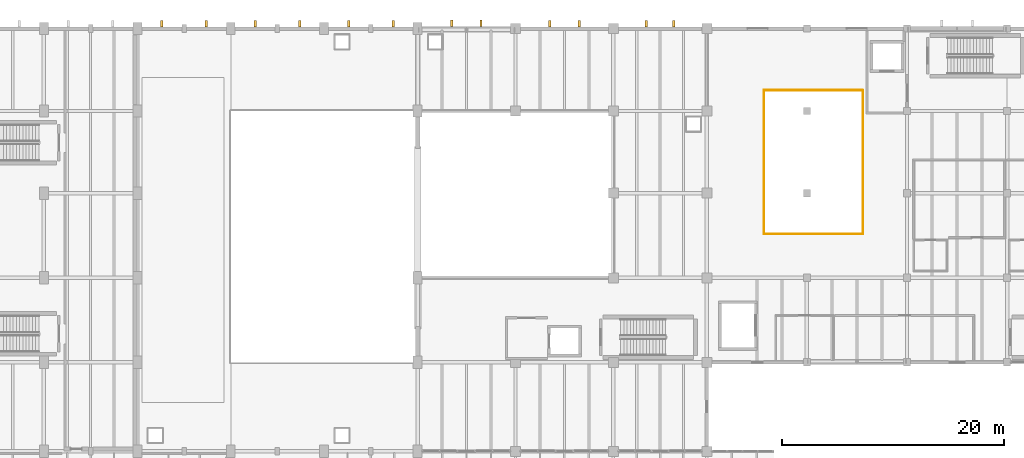
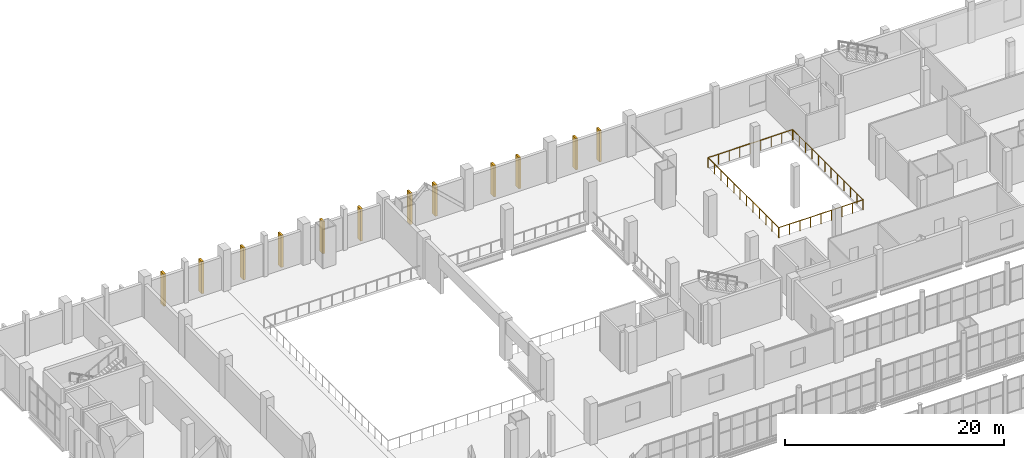
# One storey, part 169 of 172: 12 shading devices, 2 railings.
"""IFC4 building model written with IfcOpenShell, lengths in metres."""

import ifcopenshell
import ifcopenshell.guid

model = None  # the IFC model being written
_history = None  # IfcOwnerHistory: only IFC2X3 demands one
_inside = {}  # id of a spatial element -> (the spatial element, [elements in it])
_under = {}  # id of a project, library or spatial element -> (it, [spatial elements below it])
_declared = {}  # id of a project -> (the project, [libraries it declares])
_typed = {}  # id of a type object -> (the type object, [elements of that type])
_made_of = {}  # id of a material, layer set ... -> (it, [elements and type objects made of it])


def new_model(schema):
    """Start an empty IFC model of exactly this schema.

    Asked for "IFC4X3", IfcOpenShell would pick the latest addendum, in which some entities
    have other attributes; the version numbers below select the first issue.
    IFC2X3 requires an IfcOwnerHistory on every rooted entity: one is made here for all.
    """
    global model, _history
    if schema == "IFC4X3":
        model = ifcopenshell.file(schema_version=(4, 3, 0, 0))
    else:
        model = ifcopenshell.file(schema=schema)
    _inside.clear()
    _under.clear()
    _declared.clear()
    _typed.clear()
    _made_of.clear()
    _history = None
    if model.schema == "IFC2X3":
        org = make("IfcOrganization", Name="unknown")
        user = make(
            "IfcPersonAndOrganization",
            ThePerson=make("IfcPerson", FamilyName="unknown"),
            TheOrganization=org,
        )
        app = make(
            "IfcApplication",
            ApplicationDeveloper=org,
            Version="unknown",
            ApplicationFullName="unknown",
            ApplicationIdentifier="unknown",
        )
        _history = make(
            "IfcOwnerHistory",
            OwningUser=user,
            OwningApplication=app,
            ChangeAction="ADDED",
            CreationDate=0,
        )
    return model


def make(cls, **values):
    """One entity of the class cls with the attributes given. An attribute that is None is left unset."""
    return model.create_entity(
        cls, **{name: value for name, value in values.items() if value is not None}
    )


def rooted(cls, **values):
    """An entity with a GlobalId (a new one), such as an element, a storey or a relation."""
    return make(cls, GlobalId=ifcopenshell.guid.new(), OwnerHistory=_history, **values)


def si_unit(unit_type, name, prefix=None):
    """IfcSIUnit, for example si_unit("LENGTHUNIT", "METRE", prefix="MILLI")."""
    return make("IfcSIUnit", UnitType=unit_type, Prefix=prefix, Name=name)


def assignment(units):
    """IfcUnitAssignment: the units of a project."""
    return None if units is None else make("IfcUnitAssignment", Units=units)


def point(xyz):
    """IfcCartesianPoint."""
    return None if xyz is None else make("IfcCartesianPoint", Coordinates=xyz)


def direction(xyz):
    """IfcDirection."""
    return None if xyz is None else make("IfcDirection", DirectionRatios=xyz)


def frame(location, z_axis=None, x_axis=None):
    """IfcAxis2Placement3D, a coordinate frame: its origin and axes. An axis left out is left unset."""
    return make(
        "IfcAxis2Placement3D",
        Location=point(location),
        Axis=direction(z_axis),
        RefDirection=direction(x_axis),
    )


def frame_2d(location, x_axis=None):
    """IfcAxis2Placement2D, a coordinate frame in the plane: its origin and x axis."""
    return make(
        "IfcAxis2Placement2D", Location=point(location), RefDirection=direction(x_axis)
    )


def origin():
    """The frame at (0, 0, 0) with its axes left unset."""
    return frame((0.0, 0.0, 0.0))


def origin_2d():
    """The frame at (0, 0) in the plane with its x axis left unset."""
    return frame_2d((0.0, 0.0))


def place(relative_to, where):
    """IfcLocalPlacement: puts the frame where relative to a parent placement (None: the world)."""
    return make(
        "IfcLocalPlacement", PlacementRelTo=relative_to, RelativePlacement=where
    )


def context(
    kind, dimensions, precision=None, world=None, true_north=None, identifier=None
):
    """IfcGeometricRepresentationContext, for example the 3D "Model" context."""
    return make(
        "IfcGeometricRepresentationContext",
        ContextIdentifier=identifier,
        ContextType=kind,
        CoordinateSpaceDimension=dimensions,
        Precision=precision,
        WorldCoordinateSystem=world,
        TrueNorth=true_north,
    )


def subcontext(parent, identifier, kind, view, scale=None):
    """IfcGeometricRepresentationSubContext, for example "Body" below "Model"."""
    return make(
        "IfcGeometricRepresentationSubContext",
        ContextIdentifier=identifier,
        ContextType=kind,
        ParentContext=parent,
        TargetScale=scale,
        TargetView=view,
    )


def project(units=None, contexts=None):
    """IfcProject with its units and contexts."""
    return rooted(
        "IfcProject",
        Name="project",
        RepresentationContexts=contexts,
        UnitsInContext=assignment(units),
    )


def spatial(cls, under=None, at=None, **own):
    """A site, building, storey or space (cls), placed at a placement, below another one or the project."""
    s = rooted(cls, ObjectPlacement=at, **own)
    if under is not None:
        _under.setdefault(under.id(), (under, []))[1].append(s)
    return s


def profile(cls, at=None, kind="AREA", **sizes):
    """A parametric profile (cls). Its sizes go by their IFC names, for example OverallWidth=200.0."""
    return make(cls, ProfileType=kind, Position=at, **sizes)


def rectangle(**sizes):
    """IfcRectangleProfileDef."""
    return profile("IfcRectangleProfileDef", **sizes)


def circle(**sizes):
    """IfcCircleProfileDef."""
    return profile("IfcCircleProfileDef", **sizes)


def extrude(swept, where, along, depth):
    """IfcExtrudedAreaSolid: the profile swept, set in the frame where, extruded along a direction by depth."""
    return make(
        "IfcExtrudedAreaSolid",
        SweptArea=swept,
        Position=where,
        ExtrudedDirection=direction(along),
        Depth=depth,
    )


def shape(context_of_items, identifier, shape_type, items):
    """IfcShapeRepresentation: the items that make up one representation, for example the "Body"."""
    return make(
        "IfcShapeRepresentation",
        ContextOfItems=context_of_items,
        RepresentationIdentifier=identifier,
        RepresentationType=shape_type,
        Items=items,
    )


def material(Name=None, Category=None):
    """IfcMaterial."""
    return make("IfcMaterial", Name=Name, Category=Category)


def layer(
    of_material, thickness, ventilated=None, Name=None, Category=None, Priority=None
):
    """IfcMaterialLayer: one layer of a wall or slab, of a material (None: an air gap)."""
    return make(
        "IfcMaterialLayer",
        Material=of_material,
        LayerThickness=thickness,
        IsVentilated=ventilated,
        Name=Name,
        Category=Category,
        Priority=Priority,
    )


def layer_set(layers, Name=None):
    """IfcMaterialLayerSet."""
    return make("IfcMaterialLayerSet", MaterialLayers=layers, LayerSetName=Name)


def made_of(thing, what):
    """Note that an element or type object is made of a material, layer set ...; save() writes the relation."""
    if what is not None:
        _made_of.setdefault(what.id(), (what, []))[1].append(thing)
    return thing


def type_object(cls, material=None, **own):
    """A type object (cls), such as IfcWallType, which elements share."""
    return made_of(rooted(cls, **own), material)


def element(
    cls,
    number,
    at=None,
    inside=None,
    cuts=None,
    type_object=None,
    material=None,
    context=None,
    identifier="Body",
    shape_type=None,
    held_by="IfcProductDefinitionShape",
    body=None,
    shapes=None,
    **own,
):
    """One element of the class cls, such as IfcWall. Its Tag is "e" and its number.

    at: its placement. inside: the storey or other place that contains it. cuts: it is an
    opening in that element (IfcRelVoidsElement). A single representation is given by context,
    identifier, shape_type and body (its items); several are given by shapes. held_by: the class
    of the entity that holds the representations. save() writes the other relations.
    """
    e = rooted(cls, Tag="e%d" % number, ObjectPlacement=at, **own)
    if body is not None:
        shapes = [shape(context, identifier, shape_type, body)]
    if shapes is not None:
        e.Representation = make(held_by, Representations=shapes)
    if inside is not None:
        _inside.setdefault(inside.id(), (inside, []))[1].append(e)
    if cuts is not None:
        rooted(
            "IfcRelVoidsElement", RelatingBuildingElement=cuts, RelatedOpeningElement=e
        )
    if type_object is not None:
        _typed.setdefault(type_object.id(), (type_object, []))[1].append(e)
    return made_of(e, material)


def aggregate(whole, parts):
    """IfcRelAggregates: a whole, such as a stair, and the parts it consists of."""
    return rooted("IfcRelAggregates", RelatingObject=whole, RelatedObjects=parts)


def save(model, path):
    """Write the relations noted so far, then the file.

    IfcRelAggregates (storeys below a building ...), IfcRelContainedInSpatialStructure (elements
    in a storey), IfcRelDefinesByType, IfcRelAssociatesMaterial and IfcRelDeclares: one each for
    every whole, place, type object, material and project.
    """
    for whole, parts in _under.values():
        aggregate(whole, parts)
    for where, things in _inside.values():
        rooted(
            "IfcRelContainedInSpatialStructure",
            RelatedElements=things,
            RelatingStructure=where,
        )
    for kind, things in _typed.values():
        rooted("IfcRelDefinesByType", RelatedObjects=things, RelatingType=kind)
    for what, things in _made_of.values():
        rooted("IfcRelAssociatesMaterial", RelatedObjects=things, RelatingMaterial=what)
    for by, libraries in _declared.values():
        rooted("IfcRelDeclares", RelatingContext=by, RelatedDefinitions=libraries)
    model.write(path)


model = new_model("IFC4")

# Units and contexts
model_context = context("Model", 3, precision=1e-05, world=origin(), true_north=direction((0.0, 1.0)))
body_context = subcontext(model_context, "Body", "Model", "MODEL_VIEW")
ifc_project = project(units=[si_unit("LENGTHUNIT", "METRE"), si_unit("AREAUNIT", "SQUARE_METRE"), si_unit("VOLUMEUNIT", "CUBIC_METRE"), si_unit("PLANEANGLEUNIT", "RADIAN"), si_unit("MASSUNIT", "GRAM", prefix="KILO")], contexts=[model_context])

# Site, building, storey
site_placement = place(None, origin())
site = spatial("IfcSite", under=ifc_project, at=site_placement, CompositionType="ELEMENT")
building_placement = place(site_placement, origin())
building = spatial("IfcBuilding", under=site, at=building_placement, Name="Shengluoqiao Park Theatre", CompositionType="ELEMENT")
storey_placement = place(building_placement, frame((0.0, 0.0, 5.39990234375)))
storey = spatial("IfcBuildingStorey", under=building, at=storey_placement, Name="L01", CompositionType="ELEMENT", Elevation=5.39990234375)

# Shading devices
ifc_material_1 = material(Name="Concrete C45", Category="concrete")
ifc_layer = layer(ifc_material_1, 0.219970703125, Name="Concrete C45")
ifc_layer_set = layer_set([ifc_layer], Name="Concrete C45")
shading_device_type = type_object("IfcShadingDeviceType", Name="ENV-FIN-600x220", PredefinedType="USERDEFINED", material=ifc_layer_set)
for number, where, z_axis, x_axis, name in (
    (1, (63.39990234375, 114.449951171875, 0.020263671875), (0.0, 0.0, 1.0), (0.0, 1.0, 0.0), "L01 Vertical Concrete Acoustic Rib 0019"),
    (2, (67.39990234375, 114.449951171875, 0.020263671875), (0.0, 0.0, 1.0), (0.0, 1.0, 0.0), "L01 Vertical Concrete Acoustic Rib 0020"),
    (3, (71.800048828125, 114.449951171875, 0.020263671875), (0.0, 0.0, 1.0), (0.0, 1.0, 0.0), "L01 Vertical Concrete Acoustic Rib 0021"),
    (4, (75.800048828125, 114.449951171875, 0.020263671875), (0.0, 0.0, 1.0), (0.0, 1.0, 0.0), "L01 Vertical Concrete Acoustic Rib 0022"),
    (5, (80.199951171875, 114.449951171875, 0.020263671875), (0.0, 0.0, 1.0), (0.0, 1.0, 0.0), "L01 Vertical Concrete Acoustic Rib 0023"),
    (6, (84.199951171875, 114.449951171875, 0.020263671875), (0.0, 0.0, 1.0), (0.0, 1.0, 0.0), "L01 Vertical Concrete Acoustic Rib 0024"),
):
    element("IfcShadingDevice", number, at=place(storey_placement, frame(where, z_axis=z_axis, x_axis=x_axis)), inside=storey, type_object=shading_device_type, Name=name, ObjectType="FIN", PredefinedType="USERDEFINED", context=body_context, shape_type="SweptSolid", body=[
        extrude(rectangle(XDim=0.60009765625, YDim=0.219970703125, at=origin_2d()), origin(), (0.0, 0.0, 1.0), 3.587890625),
    ])
for number, where, z_axis, x_axis, name in (
    (7, (89.451416015625, 114.47509765625, 0.02001953125), (0.0, 0.0, 1.0), (0.0, 1.0, 0.0), "L01 Vertical Concrete Acoustic Rib 0066"),
    (8, (92.0986328125, 114.47509765625, 0.02001953125), (0.0, 0.0, 1.0), (0.0, 1.0, 0.0), "L01 Vertical Concrete Acoustic Rib 0067"),
):
    element("IfcShadingDevice", number, at=place(storey_placement, frame(where, z_axis=z_axis, x_axis=x_axis)), inside=storey, type_object=shading_device_type, Name=name, ObjectType="FIN", PredefinedType="USERDEFINED", context=body_context, shape_type="SweptSolid", body=[
        extrude(rectangle(XDim=0.60009765625, YDim=0.219970703125, at=origin_2d()), origin(), (0.0, 0.0, 1.0), 3.488037109375),
    ])
for number, where, z_axis, x_axis, name in (
    (9, (98.28466796875, 114.449951171875, 0.02001953125), (0.0, 0.0, 1.0), (0.0, 1.0, 0.0), "L01 Vertical Concrete Acoustic Rib 0068"),
    (10, (100.915283203125, 114.449951171875, 0.02001953125), (0.0, 0.0, 1.0), (0.0, 1.0, 0.0), "L01 Vertical Concrete Acoustic Rib 0069"),
    (11, (106.951416015625, 114.449951171875, 0.02001953125), (0.0, 0.0, 1.0), (0.0, 1.0, 0.0), "L01 Vertical Concrete Acoustic Rib 0070"),
    (12, (109.44873046875, 114.449951171875, 0.02001953125), (0.0, 0.0, 1.0), (0.0, 1.0, 0.0), "L01 Vertical Concrete Acoustic Rib 0071"),
):
    element("IfcShadingDevice", number, at=place(storey_placement, frame(where, z_axis=z_axis, x_axis=x_axis)), inside=storey, type_object=shading_device_type, Name=name, ObjectType="FIN", PredefinedType="USERDEFINED", context=body_context, shape_type="SweptSolid", body=[
        extrude(rectangle(XDim=0.60009765625, YDim=0.219970703125, at=origin_2d()), origin(), (0.0, 0.0, 1.0), 3.498046875),
    ])

# Railings
ifc_material_2 = material(Name="Steel Q355", Category="steel")
railing_type = type_object("IfcRailingType", Name="INT-RL-FLY115", PredefinedType="GUARDRAIL", material=ifc_material_2)
railing_1_placement = place(storey_placement, frame((117.5400390625, 95.5400390625, 0.0)))
element("IfcRailing", 13, at=railing_1_placement, inside=storey, type_object=railing_type, Name="L01 VOID-L01-DOCK South-East Balustrade 0006", PredefinedType="GUARDRAIL", context=body_context, shape_type="SweptSolid", body=[
    extrude(circle(Radius=0.02392578125, at=origin_2d()), frame((0.0, 0.0, 1.1259765625), z_axis=(1.0, 0.0, 0.0), x_axis=(0.0, 1.0, 0.0)), (0.0, 0.0, 1.0), 8.919921875),
    extrude(circle(Radius=0.02392578125, at=origin_2d()), frame((8.919921875, 0.0, 1.1259765625), z_axis=(0.0, 1.0, 0.0), x_axis=(-1.0, 0.0, 0.0)), (0.0, 0.0, 1.0), 12.8798828125),
    extrude(circle(Radius=0.02099609375, at=origin_2d()), origin(), (0.0, 0.0, 1.0), 1.101806640625),
    extrude(circle(Radius=0.02099609375, at=origin_2d()), frame((1.114990234375, 0.0, 0.0)), (0.0, 0.0, 1.0), 1.101806640625),
    extrude(circle(Radius=0.02099609375, at=origin_2d()), frame((2.22998046875, 0.0, 0.0)), (0.0, 0.0, 1.0), 1.101806640625),
    extrude(circle(Radius=0.02099609375, at=origin_2d()), frame((3.344970703125, 0.0, 0.0)), (0.0, 0.0, 1.0), 1.101806640625),
    extrude(circle(Radius=0.02099609375, at=origin_2d()), frame((4.4599609375, 0.0, 0.0)), (0.0, 0.0, 1.0), 1.101806640625),
    extrude(circle(Radius=0.02099609375, at=origin_2d()), frame((5.574951171875, 0.0, 0.0)), (0.0, 0.0, 1.0), 1.101806640625),
    extrude(circle(Radius=0.02099609375, at=origin_2d()), frame((6.68994140625, 0.0, 0.0)), (0.0, 0.0, 1.0), 1.101806640625),
    extrude(circle(Radius=0.02099609375, at=origin_2d()), frame((7.804931640625, 0.0, 0.0)), (0.0, 0.0, 1.0), 1.101806640625),
    extrude(circle(Radius=0.02099609375, at=origin_2d()), frame((8.919921875, 0.0, 0.0)), (0.0, 0.0, 1.0), 1.101806640625),
    extrude(circle(Radius=0.02099609375, at=origin_2d()), frame((8.919921875, 1.1708984375, 0.0)), (0.0, 0.0, 1.0), 1.101806640625),
    extrude(circle(Radius=0.02099609375, at=origin_2d()), frame((8.919921875, 2.341796875, 0.0)), (0.0, 0.0, 1.0), 1.101806640625),
    extrude(circle(Radius=0.02099609375, at=origin_2d()), frame((8.919921875, 3.5126953125, 0.0)), (0.0, 0.0, 1.0), 1.101806640625),
    extrude(circle(Radius=0.02099609375, at=origin_2d()), frame((8.919921875, 4.68359375, 0.0)), (0.0, 0.0, 1.0), 1.101806640625),
    extrude(circle(Radius=0.02099609375, at=origin_2d()), frame((8.919921875, 5.8544921875, 0.0)), (0.0, 0.0, 1.0), 1.101806640625),
    extrude(circle(Radius=0.02099609375, at=origin_2d()), frame((8.919921875, 7.025390625, 0.0)), (0.0, 0.0, 1.0), 1.101806640625),
    extrude(circle(Radius=0.02099609375, at=origin_2d()), frame((8.919921875, 8.1962890625, 0.0)), (0.0, 0.0, 1.0), 1.101806640625),
    extrude(circle(Radius=0.02099609375, at=origin_2d()), frame((8.919921875, 9.3671875, 0.0)), (0.0, 0.0, 1.0), 1.101806640625),
    extrude(circle(Radius=0.02099609375, at=origin_2d()), frame((8.919921875, 10.5380859375, 0.0)), (0.0, 0.0, 1.0), 1.101806640625),
    extrude(circle(Radius=0.02099609375, at=origin_2d()), frame((8.919921875, 11.708984375, 0.0)), (0.0, 0.0, 1.0), 1.101806640625),
    extrude(circle(Radius=0.02099609375, at=origin_2d()), frame((8.919921875, 12.8798828125, 0.0)), (0.0, 0.0, 1.0), 1.101806640625),
])
railing_2_placement = place(storey_placement, frame((126.419921875, 108.4599609375, 0.0)))
element("IfcRailing", 14, at=railing_2_placement, inside=storey, type_object=railing_type, Name="L01 VOID-L01-DOCK North-West Balustrade 0007", PredefinedType="GUARDRAIL", context=body_context, shape_type="SweptSolid", body=[
    extrude(circle(Radius=0.02392578125, at=origin_2d()), frame((0.0, 0.0, 1.1259765625), z_axis=(-1.0, 0.0, 0.0), x_axis=(0.0, -1.0, 0.0)), (0.0, 0.0, 1.0), 8.8798828125),
    extrude(circle(Radius=0.02392578125, at=origin_2d()), frame((-8.8798828125, 0.0, 1.1259765625), z_axis=(0.0, -1.0, 0.0), x_axis=(1.0, 0.0, 0.0)), (0.0, 0.0, 1.0), 12.8798828125),
    extrude(circle(Radius=0.02099609375, at=origin_2d()), origin(), (0.0, 0.0, 1.0), 1.101806640625),
    extrude(circle(Radius=0.02099609375, at=origin_2d()), frame((-1.10986328125, 0.0, 0.0)), (0.0, 0.0, 1.0), 1.101806640625),
    extrude(circle(Radius=0.02099609375, at=origin_2d()), frame((-2.219970703125, 0.0, 0.0)), (0.0, 0.0, 1.0), 1.101806640625),
    extrude(circle(Radius=0.02099609375, at=origin_2d()), frame((-3.330078125, 0.0, 0.0)), (0.0, 0.0, 1.0), 1.101806640625),
    extrude(circle(Radius=0.02099609375, at=origin_2d()), frame((-4.43994140625, 0.0, 0.0)), (0.0, 0.0, 1.0), 1.101806640625),
    extrude(circle(Radius=0.02099609375, at=origin_2d()), frame((-5.5498046875, 0.0, 0.0)), (0.0, 0.0, 1.0), 1.101806640625),
    extrude(circle(Radius=0.02099609375, at=origin_2d()), frame((-6.659912109375, 0.0, 0.0)), (0.0, 0.0, 1.0), 1.101806640625),
    extrude(circle(Radius=0.02099609375, at=origin_2d()), frame((-7.77001953125, 0.0, 0.0)), (0.0, 0.0, 1.0), 1.101806640625),
    extrude(circle(Radius=0.02099609375, at=origin_2d()), frame((-8.8798828125, 0.0, 0.0)), (0.0, 0.0, 1.0), 1.101806640625),
    extrude(circle(Radius=0.02099609375, at=origin_2d()), frame((-8.8798828125, -1.1708984375, 0.0)), (0.0, 0.0, 1.0), 1.101806640625),
    extrude(circle(Radius=0.02099609375, at=origin_2d()), frame((-8.8798828125, -2.341796875, 0.0)), (0.0, 0.0, 1.0), 1.101806640625),
    extrude(circle(Radius=0.02099609375, at=origin_2d()), frame((-8.8798828125, -3.5126953125, 0.0)), (0.0, 0.0, 1.0), 1.101806640625),
    extrude(circle(Radius=0.02099609375, at=origin_2d()), frame((-8.8798828125, -4.68359375, 0.0)), (0.0, 0.0, 1.0), 1.101806640625),
    extrude(circle(Radius=0.02099609375, at=origin_2d()), frame((-8.8798828125, -5.8544921875, 0.0)), (0.0, 0.0, 1.0), 1.101806640625),
    extrude(circle(Radius=0.02099609375, at=origin_2d()), frame((-8.8798828125, -7.025390625, 0.0)), (0.0, 0.0, 1.0), 1.101806640625),
    extrude(circle(Radius=0.02099609375, at=origin_2d()), frame((-8.8798828125, -8.1962890625, 0.0)), (0.0, 0.0, 1.0), 1.101806640625),
    extrude(circle(Radius=0.02099609375, at=origin_2d()), frame((-8.8798828125, -9.3671875, 0.0)), (0.0, 0.0, 1.0), 1.101806640625),
    extrude(circle(Radius=0.02099609375, at=origin_2d()), frame((-8.8798828125, -10.5380859375, 0.0)), (0.0, 0.0, 1.0), 1.101806640625),
    extrude(circle(Radius=0.02099609375, at=origin_2d()), frame((-8.8798828125, -11.708984375, 0.0)), (0.0, 0.0, 1.0), 1.101806640625),
    extrude(circle(Radius=0.02099609375, at=origin_2d()), frame((-8.8798828125, -12.8798828125, 0.0)), (0.0, 0.0, 1.0), 1.101806640625),
])

save(model, "model.ifc")
